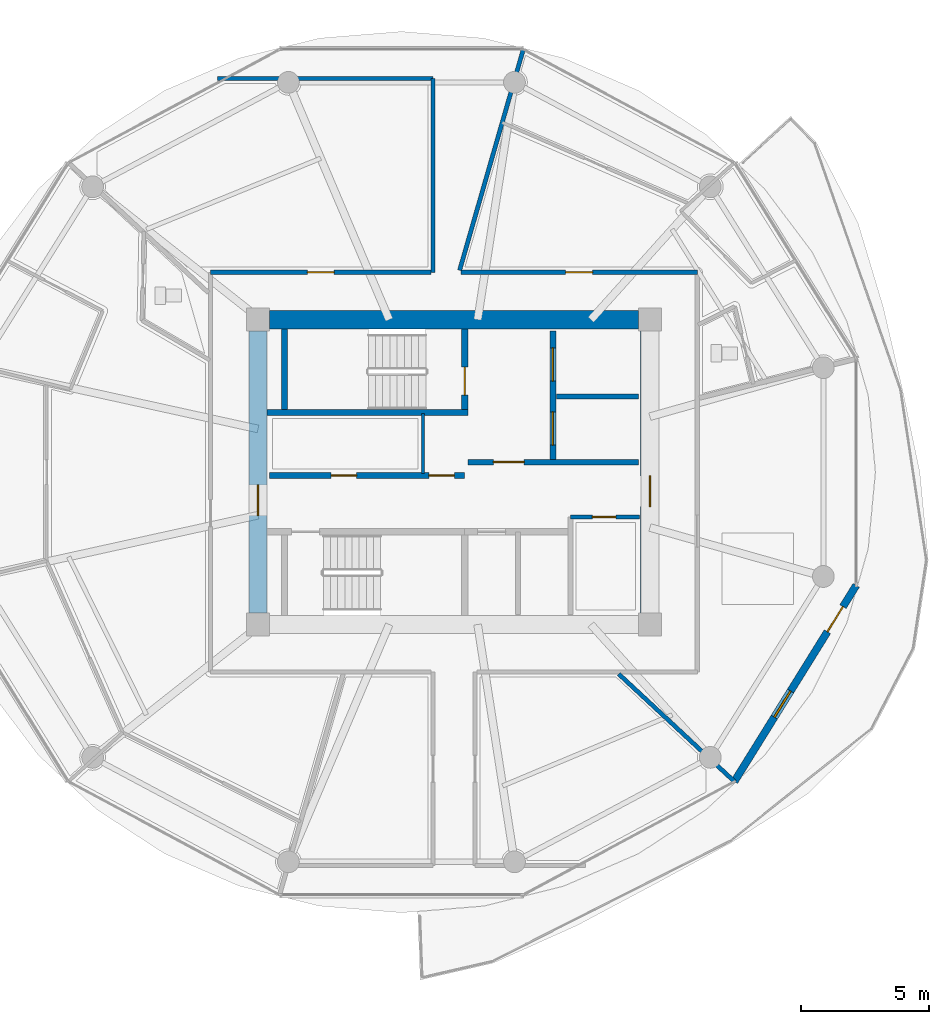
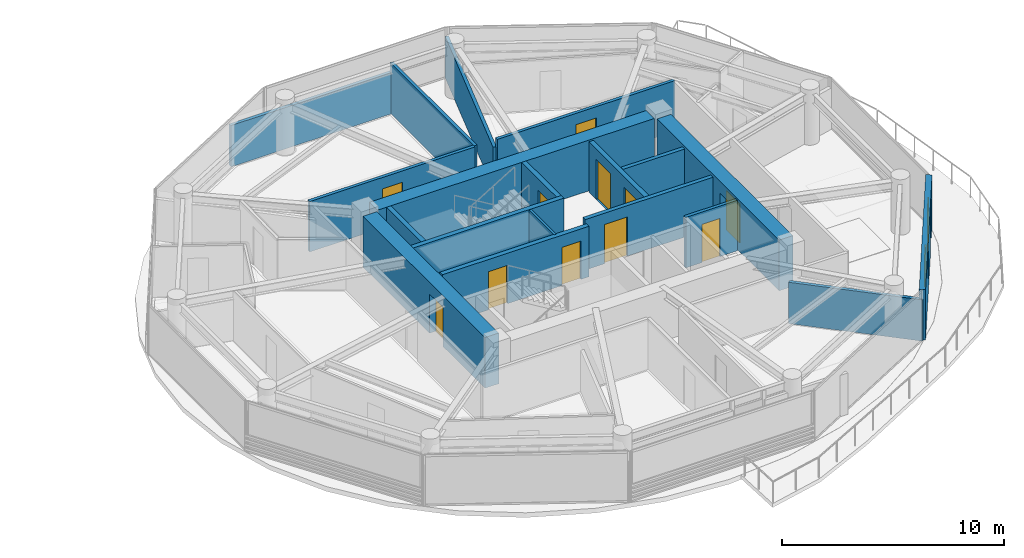
# One storey, part 16 of 25: 19 walls, 12 doors, 1 window, 13 openings.
"""IFC4 building model written with IfcOpenShell, lengths in metres."""

from ifc_helpers import new_model, si_unit, direction, frame, frame_2d, origin, place, context, subcontext, project, spatial, rectangle, extrude, source, transform, mapped, material, layer, layer_set, type_object, type_shapes, element, fill, save


model = new_model("IFC4")

# Units and contexts
model_context = context("Model", 3, precision=1e-05, world=origin(), true_north=direction((0.0, 1.0)))
body_context = subcontext(model_context, "Body", "Model", "MODEL_VIEW")
ifc_project = project(units=[si_unit("LENGTHUNIT", "METRE"), si_unit("AREAUNIT", "SQUARE_METRE"), si_unit("VOLUMEUNIT", "CUBIC_METRE"), si_unit("PLANEANGLEUNIT", "RADIAN"), si_unit("MASSUNIT", "GRAM", prefix="KILO")], contexts=[model_context])

# Site, building, storey
site_placement = place(None, origin())
site = spatial("IfcSite", under=ifc_project, at=site_placement, CompositionType="ELEMENT")
building_placement = place(site_placement, origin())
building = spatial("IfcBuilding", under=site, at=building_placement, Name="Norrkilde Senior Care Towers", CompositionType="ELEMENT")
storey_placement = place(building_placement, frame((0.0, 0.0, 99.300048828125)))
storey = spatial("IfcBuildingStorey", under=building, at=storey_placement, Name="L30", CompositionType="ELEMENT", Elevation=99.300048828125)

# Wall
ifc_material_1 = material(Name="Concrete C60/75", Category="concrete")
ifc_layer_1 = layer(ifc_material_1, 0.719970703125)
ifc_layer_set_1 = layer_set([ifc_layer_1], Name="Concrete C60/75")
wall_type_1 = type_object("IfcWallType", Name="Core Shear Wall Z2 720", PredefinedType="SHEAR", material=ifc_layer_set_1)
shared_shape_1 = source(origin(), body_context, "Body", "SweptSolid", [
    extrude(rectangle(XDim=14.39990234375, YDim=0.719970703125, at=frame_2d((7.199951171875, 0.0))), origin(), (0.0, 0.0, 1.0), 2.7900390625),
])
wall_1_placement = place(storey_placement, frame((20.800048828125, 5.949951171875, 0.0), z_axis=(0.0, 0.0, 1.0), x_axis=(1.0, 0.0, 0.0)))
element("IfcWall", 1, at=wall_1_placement, inside=storey, type_object=wall_type_1, Name="L30 Core E North Shear Wall", PredefinedType="SHEAR", context=body_context, shape_type="MappedRepresentation", body=[
    mapped(shared_shape_1, transform((0.0, 0.0, 0.0), x_axis=(1.0, 0.0, 0.0), y_axis=(0.0, 1.0, 0.0), z_axis=(0.0, 0.0, 1.0), scale=1.0)),
])

# Wall, opening, door
shared_shape_2 = source(origin(), body_context, "Body", "SweptSolid", [
    extrude(rectangle(XDim=11.0, YDim=0.719970703125, at=frame_2d((5.5, 0.0))), origin(), (0.0, 0.0, 1.0), 2.7900390625),
])
type_shapes(wall_type_1, [shared_shape_1, shared_shape_2])
wall_2_placement = place(storey_placement, frame((20.35009765625, -5.5, 0.0), z_axis=(0.0, 0.0, 1.0), x_axis=(0.0, 1.0, 0.0)))
wall_2 = element("IfcWall", 2, at=wall_2_placement, inside=storey, type_object=wall_type_1, Name="L30 Core E West Shear Wall", PredefinedType="SHEAR", context=body_context, shape_type="MappedRepresentation", body=[
    mapped(shared_shape_2, transform((0.0, 0.0, 0.0), x_axis=(1.0, 0.0, 0.0), y_axis=(0.0, 1.0, 0.0), z_axis=(0.0, 0.0, 1.0), scale=1.0)),
])
opening_1_placement = place(wall_2_placement, frame((3.800048828125, 0.0, 0.0)))
opening_1 = element("IfcOpeningElement", 3, at=opening_1_placement, cuts=wall_2, Name="Opening D-04", PredefinedType="OPENING", context=body_context, shape_type="SweptSolid", body=[
    extrude(rectangle(XDim=1.199951171875, YDim=2.14990234375, at=frame_2d((0.60009765625, 1.074951171875))), frame((0.0, 0.369873046875, 0.0), z_axis=(0.0, -1.0, 0.0), x_axis=(1.0, 0.0, 0.0)), (0.0, 0.0, 1.0), 0.739990234375),
])
ifc_material_2 = material(Name="Galvanised Painted Steel", Category="steel")
door_type_1 = type_object("IfcDoorType", Name="Firefighting Lobby Fire Door 1200x2150", OperationType="NOTDEFINED", PredefinedType="DOOR", material=ifc_material_2)
shared_shape_3 = source(origin(), body_context, "Body", "SweptSolid", [
    extrude(rectangle(XDim=1.199951171875, YDim=2.14990234375, at=frame_2d((0.60009765625, 1.074951171875))), frame((0.0, 0.02490234375, 0.0), z_axis=(0.0, -1.0, 0.0), x_axis=(1.0, 0.0, 0.0)), (0.0, 0.0, 1.0), 0.050048828125),
])
type_shapes(door_type_1, [shared_shape_3])
door_1_placement = place(opening_1_placement, frame((1.199951171875, 0.0, 0.0), z_axis=(0.0, 0.0, 1.0), x_axis=(-1.0, 0.0, 0.0)))
door_1 = element("IfcDoor", 4, at=door_1_placement, inside=storey, type_object=door_type_1, Name="L30 Core E West Portal Door", OperationType="SINGLE_SWING_LEFT", OverallHeight=2.14990234375, OverallWidth=1.199951171875, PredefinedType="DOOR", context=body_context, shape_type="MappedRepresentation", body=[
    mapped(shared_shape_3, transform((0.0, 0.0, 0.0), x_axis=(1.0, 0.0, 0.0), y_axis=(0.0, 1.0, 0.0), z_axis=(0.0, 0.0, 1.0), scale=1.0)),
])
fill(opening_1, door_1)

wall_3_placement = place(storey_placement, frame((35.64990234375, 5.5, 0.0), z_axis=(0.0, 0.0, 1.0), x_axis=(0.0, -1.0, 0.0)))
wall_3 = element("IfcWall", 5, at=wall_3_placement, inside=storey, type_object=wall_type_1, Name="L30 Core E East Shear Wall", PredefinedType="SHEAR", context=body_context, shape_type="MappedRepresentation", body=[
    mapped(shared_shape_2, transform((0.0, 0.0, 0.0), x_axis=(1.0, 0.0, 0.0), y_axis=(0.0, 1.0, 0.0), z_axis=(0.0, 0.0, 1.0), scale=1.0)),
])
opening_2_placement = place(wall_3_placement, frame((5.64990234375, 0.0, 0.0)))
opening_2 = element("IfcOpeningElement", 6, at=opening_2_placement, cuts=wall_3, Name="Opening D-04", PredefinedType="OPENING", context=body_context, shape_type="SweptSolid", body=[
    extrude(rectangle(XDim=1.199951171875, YDim=2.14990234375, at=frame_2d((0.60009765625, 1.074951171875))), frame((0.0, 0.369873046875, 0.0), z_axis=(0.0, -1.0, 0.0), x_axis=(1.0, 0.0, 0.0)), (0.0, 0.0, 1.0), 0.739990234375),
])
door_2_placement = place(opening_2_placement, frame((1.199951171875, 0.0, 0.0), z_axis=(0.0, 0.0, 1.0), x_axis=(-1.0, 0.0, 0.0)))
door_2 = element("IfcDoor", 7, at=door_2_placement, inside=storey, type_object=door_type_1, Name="L30 Core E East Portal Door", OperationType="SINGLE_SWING_RIGHT", OverallHeight=2.14990234375, OverallWidth=1.199951171875, PredefinedType="DOOR", context=body_context, shape_type="MappedRepresentation", body=[
    mapped(shared_shape_3, transform((0.0, 0.0, 0.0), x_axis=(1.0, 0.0, 0.0), y_axis=(0.0, 1.0, 0.0), z_axis=(0.0, 0.0, 1.0), scale=1.0)),
])
fill(opening_2, door_2)

# Wall, openings, door, window
ifc_material_3 = material(Name="Precast concrete C45/55", Category="concrete")
ifc_layer_2 = layer(ifc_material_3, 0.2900390625)
ifc_layer_set_2 = layer_set([ifc_layer_2], Name="Precast concrete C45/55")
wall_type_2 = type_object("IfcWallType", Name="Winter Garden Facade Wall 290", PredefinedType="SOLIDWALL", material=ifc_layer_set_2)
shared_shape_4 = source(origin(), body_context, "Body", "SweptSolid", [
    extrude(rectangle(XDim=9.01416015625, YDim=0.2900390625, at=frame_2d((4.507080078125, 0.0))), origin(), (0.0, 0.0, 1.0), 2.7900390625),
])
type_shapes(wall_type_2, [shared_shape_4])
wall_4_placement = place(storey_placement, frame((43.70361328125, -4.420654296875, 0.0), z_axis=(0.0, 0.0, 1.0), x_axis=(-0.527732945084, -0.849410347637, 0.0)))
wall_4 = element("IfcWall", 8, at=wall_4_placement, inside=storey, type_object=wall_type_2, Name="L30 Drum E Balcony Access Wall 10", PredefinedType="SOLIDWALL", context=body_context, shape_type="MappedRepresentation", body=[
    mapped(shared_shape_4, transform((0.0, 0.0, 0.0), x_axis=(1.0, 0.0, 0.0), y_axis=(0.0, 1.0, 0.0), z_axis=(0.0, 0.0, 1.0), scale=1.0)),
])
opening_3_placement = place(wall_4_placement, frame((0.97998046875, 0.0, 0.0)))
opening_3 = element("IfcOpeningElement", 9, at=opening_3_placement, cuts=wall_4, Name="Opening D-09", PredefinedType="OPENING", context=body_context, shape_type="SweptSolid", body=[
    extrude(rectangle(XDim=1.14990234375, YDim=2.25, at=frame_2d((0.574951171875, 1.125))), frame((0.0, 0.155029296875, 0.0), z_axis=(0.0, -1.0, 0.0), x_axis=(1.0, 0.0, 0.0)), (0.0, 0.0, 1.0), 0.31005859375),
])
opening_4_placement = place(wall_4_placement, frame((4.857177734375, 0.0, 0.85009765625)))
opening_4 = element("IfcOpeningElement", 10, at=opening_4_placement, cuts=wall_4, Name="Opening WN-07", PredefinedType="OPENING", context=body_context, shape_type="SweptSolid", body=[
    extrude(rectangle(XDim=1.199951171875, YDim=1.5, at=frame_2d((0.60009765625, 0.75))), frame((0.0, 0.155029296875, 0.0), z_axis=(0.0, -1.0, 0.0), x_axis=(1.0, 0.0, 0.0)), (0.0, 0.0, 1.0), 0.31005859375),
])
ifc_material_4 = material(Name="Anodised Aluminium", Category="aluminium")
door_type_2 = type_object("IfcDoorType", Name="Terrace and Balcony Glazed Door 1150x2250", OperationType="NOTDEFINED", PredefinedType="DOOR", material=ifc_material_4)
shared_shape_5 = source(origin(), body_context, "Body", "SweptSolid", [
    extrude(rectangle(XDim=1.14990234375, YDim=2.25, at=frame_2d((0.574951171875, 1.125))), frame((0.0, 0.02490234375, 0.0), z_axis=(0.0, -1.0, 0.0), x_axis=(1.0, 0.0, 0.0)), (0.0, 0.0, 1.0), 0.050048828125),
])
type_shapes(door_type_2, [shared_shape_5])
door_3_placement = place(opening_3_placement, origin())
door_3 = element("IfcDoor", 11, at=door_3_placement, inside=storey, type_object=door_type_2, Name="L30 Drum E Outdoor Terrace Door 10", OperationType="SINGLE_SWING_LEFT", OverallHeight=2.25, OverallWidth=1.14990234375, PredefinedType="DOOR", context=body_context, shape_type="MappedRepresentation", body=[
    mapped(shared_shape_5, transform((0.0, 0.0, 0.0), x_axis=(1.0, 0.0, 0.0), y_axis=(0.0, 1.0, 0.0), z_axis=(0.0, 0.0, 1.0), scale=1.0)),
])
fill(opening_3, door_3)
ifc_material_5 = material(Name="Triple Low-E Insulated Glazing", Category="glass")
window_type = type_object("IfcWindowType", Name="Stairwell Smoke Vent Window 1200x1500", PartitioningType="SINGLE_PANEL", PredefinedType="WINDOW", material=ifc_material_5)
shared_shape_6 = source(origin(), body_context, "Body", "SweptSolid", [
    extrude(rectangle(XDim=1.199951171875, YDim=1.5, at=frame_2d((0.60009765625, 0.75))), frame((0.0, 0.030029296875, 0.0), z_axis=(0.0, -1.0, 0.0), x_axis=(1.0, 0.0, 0.0)), (0.0, 0.0, 1.0), 0.06005859375),
])
type_shapes(window_type, [shared_shape_6])
window_placement = place(opening_4_placement, origin())
window = element("IfcWindow", 12, at=window_placement, inside=storey, type_object=window_type, Name="L30 Drum E Winter Garden Window 10", OverallHeight=1.5, OverallWidth=1.199951171875, PartitioningType="SINGLE_PANEL", PredefinedType="WINDOW", context=body_context, shape_type="MappedRepresentation", body=[
    mapped(shared_shape_6, transform((0.0, 0.0, 0.0), x_axis=(1.0, 0.0, 0.0), y_axis=(0.0, 1.0, 0.0), z_axis=(0.0, 0.0, 1.0), scale=1.0)),
])
fill(opening_4, window)

# Wall, openings, doors
ifc_material_6 = material(Name="Concrete C45/55", Category="concrete")
ifc_layer_3 = layer(ifc_material_6, 0.239990234375)
ifc_layer_set_3 = layer_set([ifc_layer_3], Name="Concrete C45/55")
wall_type_3 = type_object("IfcWallType", Name="Lift and Plant Rated Enclosure Partition 240", PredefinedType="PARTITIONING", material=ifc_layer_set_3)
shared_shape_7 = source(origin(), body_context, "Body", "SweptSolid", [
    extrude(rectangle(XDim=5.0, YDim=0.239990234375, at=frame_2d((2.5, 0.0))), origin(), (0.0, 0.0, 1.0), 2.77490234375),
])
wall_5_placement = place(storey_placement, frame((31.860107421875, 0.5, 0.0), z_axis=(0.0, 0.0, 1.0), x_axis=(0.0, 1.0, 0.0)))
wall_5 = element("IfcWall", 13, at=wall_5_placement, inside=storey, type_object=wall_type_3, Name="WL-INT-L30-E-FFLE", PredefinedType="PARTITIONING", context=body_context, shape_type="MappedRepresentation", body=[
    mapped(shared_shape_7, transform((0.0, 0.0, 0.0), x_axis=(1.0, 0.0, 0.0), y_axis=(0.0, 1.0, 0.0), z_axis=(0.0, 0.0, 1.0), scale=1.0)),
])
opening_5_placement = place(wall_5_placement, frame((3.050048828125, 0.0, 0.0)))
opening_5 = element("IfcOpeningElement", 14, at=opening_5_placement, cuts=wall_5, Name="Opening LD-02", PredefinedType="OPENING", context=body_context, shape_type="SweptSolid", body=[
    extrude(rectangle(XDim=1.300048828125, YDim=2.199951171875, at=frame_2d((0.64990234375, 1.10009765625))), frame((0.0, 0.1298828125, 0.0), z_axis=(0.0, -1.0, 0.0), x_axis=(1.0, 0.0, 0.0)), (0.0, 0.0, 1.0), 0.260009765625),
])
opening_6_placement = place(wall_5_placement, frame((0.550048828125, 0.0, 0.0)))
opening_6 = element("IfcOpeningElement", 15, at=opening_6_placement, cuts=wall_5, Name="Opening LD-02", PredefinedType="OPENING", context=body_context, shape_type="SweptSolid", body=[
    extrude(rectangle(XDim=1.300048828125, YDim=2.199951171875, at=frame_2d((0.64990234375, 1.10009765625))), frame((0.0, 0.1298828125, 0.0), z_axis=(0.0, -1.0, 0.0), x_axis=(1.0, 0.0, 0.0)), (0.0, 0.0, 1.0), 0.260009765625),
])
ifc_material_7 = material(Name="Stainless Steel", Category="steel")
door_type_3 = type_object("IfcDoorType", Name="Stretcher and FFL Landing Sliding Door 1300x2200", OperationType="NOTDEFINED", PredefinedType="DOOR", material=ifc_material_7)
shared_shape_8 = source(origin(), body_context, "Body", "SweptSolid", [
    extrude(rectangle(XDim=1.300048828125, YDim=2.199951171875, at=frame_2d((0.64990234375, 1.10009765625))), frame((0.0, 0.02490234375, 0.0), z_axis=(0.0, -1.0, 0.0), x_axis=(1.0, 0.0, 0.0)), (0.0, 0.0, 1.0), 0.050048828125),
])
type_shapes(door_type_3, [shared_shape_8])
door_4_placement = place(opening_5_placement, origin())
door_4 = element("IfcDoor", 16, at=door_4_placement, inside=storey, type_object=door_type_3, Name="L30 Firefighting Lift E1 Landing Door", OperationType="SLIDING_TO_LEFT", OverallHeight=2.199951171875, OverallWidth=1.300048828125, PredefinedType="DOOR", context=body_context, shape_type="MappedRepresentation", body=[
    mapped(shared_shape_8, transform((0.0, 0.0, 0.0), x_axis=(1.0, 0.0, 0.0), y_axis=(0.0, 1.0, 0.0), z_axis=(0.0, 0.0, 1.0), scale=1.0)),
])
fill(opening_5, door_4)
door_5_placement = place(opening_6_placement, origin())
door_5 = element("IfcDoor", 17, at=door_5_placement, inside=storey, type_object=door_type_3, Name="L30 Stretcher Lift E1 Landing Door", OperationType="SLIDING_TO_RIGHT", OverallHeight=2.199951171875, OverallWidth=1.300048828125, PredefinedType="DOOR", context=body_context, shape_type="MappedRepresentation", body=[
    mapped(shared_shape_8, transform((0.0, 0.0, 0.0), x_axis=(1.0, 0.0, 0.0), y_axis=(0.0, 1.0, 0.0), z_axis=(0.0, 0.0, 1.0), scale=1.0)),
])
fill(opening_6, door_5)

# Wall
ifc_layer_4 = layer(ifc_material_6, 0.199951171875)
ifc_layer_set_4 = layer_set([ifc_layer_4], Name="Concrete C45/55")
wall_type_4 = type_object("IfcWallType", Name="Shaft Division and Plant Partition 200", PredefinedType="PARTITIONING", material=ifc_layer_set_4)
shared_shape_9 = source(origin(), body_context, "Body", "SweptSolid", [
    extrude(rectangle(XDim=3.199951171875, YDim=0.199951171875, at=frame_2d((1.60009765625, 0.0))), origin(), (0.0, 0.0, 1.0), 2.77490234375),
])
type_shapes(wall_type_4, [shared_shape_9])
wall_6_placement = place(storey_placement, frame((32.0, 2.949951171875, 0.0), z_axis=(0.0, 0.0, 1.0), x_axis=(1.0, 0.0, 0.0)))
element("IfcWall", 18, at=wall_6_placement, inside=storey, type_object=wall_type_4, Name="WL-INT-L30-E-FFLDIV", PredefinedType="PARTITIONING", context=body_context, shape_type="MappedRepresentation", body=[
    mapped(shared_shape_9, transform((0.0, 0.0, 0.0), x_axis=(1.0, 0.0, 0.0), y_axis=(0.0, 1.0, 0.0), z_axis=(0.0, 0.0, 1.0), scale=1.0)),
])

# Wall, opening, door
ifc_layer_5 = layer(ifc_material_6, 0.2099609375)
ifc_layer_set_5 = layer_set([ifc_layer_5], Name="Concrete C45/55")
wall_type_5 = type_object("IfcWallType", Name="Firefighting Lobby Wall 210", PredefinedType="PARTITIONING", material=ifc_layer_set_5)
shared_shape_10 = source(origin(), body_context, "Body", "SweptSolid", [
    extrude(rectangle(XDim=6.659912109375, YDim=0.2099609375, at=frame_2d((3.330078125, 0.0))), origin(), (0.0, 0.0, 1.0), 2.77490234375),
])
type_shapes(wall_type_5, [shared_shape_10])
wall_7_placement = place(storey_placement, frame((28.5400390625, 0.389892578125, 0.0), z_axis=(0.0, 0.0, 1.0), x_axis=(1.0, 0.0, 0.0)))
wall_7 = element("IfcWall", 19, at=wall_7_placement, inside=storey, type_object=wall_type_5, Name="WL-INT-L30-E-FFLS", PredefinedType="PARTITIONING", context=body_context, shape_type="MappedRepresentation", body=[
    mapped(shared_shape_10, transform((0.0, 0.0, 0.0), x_axis=(1.0, 0.0, 0.0), y_axis=(0.0, 1.0, 0.0), z_axis=(0.0, 0.0, 1.0), scale=1.0)),
])
opening_7_placement = place(wall_7_placement, frame((1.0, 0.0, 0.0)))
opening_7 = element("IfcOpeningElement", 20, at=opening_7_placement, cuts=wall_7, Name="Opening D-04", PredefinedType="OPENING", context=body_context, shape_type="SweptSolid", body=[
    extrude(rectangle(XDim=1.199951171875, YDim=2.14990234375, at=frame_2d((0.60009765625, 1.074951171875))), frame((0.0, 0.114990234375, 0.0), z_axis=(0.0, -1.0, 0.0), x_axis=(1.0, 0.0, 0.0)), (0.0, 0.0, 1.0), 0.22998046875),
])
door_6_placement = place(opening_7_placement, frame((1.199951171875, 0.0, 0.0), z_axis=(0.0, 0.0, 1.0), x_axis=(-1.0, 0.0, 0.0)))
door_6 = element("IfcDoor", 21, at=door_6_placement, inside=storey, type_object=door_type_1, Name="L30 Firefighting Lobby E Door", OperationType="SINGLE_SWING_LEFT", OverallHeight=2.14990234375, OverallWidth=1.199951171875, PredefinedType="DOOR", context=body_context, shape_type="MappedRepresentation", body=[
    mapped(shared_shape_3, transform((0.0, 0.0, 0.0), x_axis=(1.0, 0.0, 0.0), y_axis=(0.0, 1.0, 0.0), z_axis=(0.0, 0.0, 1.0), scale=1.0)),
])
fill(opening_7, door_6)

# Wall, openings, doors
shared_shape_11 = source(origin(), body_context, "Body", "SweptSolid", [
    extrude(rectangle(XDim=7.619873046875, YDim=0.239990234375, at=frame_2d((3.81005859375, 0.0))), origin(), (0.0, 0.0, 1.0), 2.77490234375),
])
type_shapes(wall_type_3, [shared_shape_7, shared_shape_11])
wall_8_placement = place(storey_placement, frame((20.800048828125, -0.1298828125, 0.0), z_axis=(0.0, 0.0, 1.0), x_axis=(1.0, 0.0, 0.0)))
wall_8 = element("IfcWall", 22, at=wall_8_placement, inside=storey, type_object=wall_type_3, Name="WL-INT-L30-E-PKAS", PredefinedType="PARTITIONING", context=body_context, shape_type="MappedRepresentation", body=[
    mapped(shared_shape_11, transform((0.0, 0.0, 0.0), x_axis=(1.0, 0.0, 0.0), y_axis=(0.0, 1.0, 0.0), z_axis=(0.0, 0.0, 1.0), scale=1.0)),
])
opening_8_placement = place(wall_8_placement, frame((6.219970703125, 0.0, 0.0)))
opening_8 = element("IfcOpeningElement", 23, at=opening_8_placement, cuts=wall_8, Name="Opening D-10", PredefinedType="OPENING", context=body_context, shape_type="SweptSolid", body=[
    extrude(rectangle(XDim=1.0, YDim=2.10009765625, at=frame_2d((0.5, 1.050048828125))), frame((0.0, 0.1298828125, 0.0), z_axis=(0.0, -1.0, 0.0), x_axis=(1.0, 0.0, 0.0)), (0.0, 0.0, 1.0), 0.260009765625),
])
opening_9_placement = place(wall_8_placement, frame((2.39990234375, 0.0, 0.0)))
opening_9 = element("IfcOpeningElement", 24, at=opening_9_placement, cuts=wall_8, Name="Opening D-10", PredefinedType="OPENING", context=body_context, shape_type="SweptSolid", body=[
    extrude(rectangle(XDim=1.0, YDim=2.10009765625, at=frame_2d((0.5, 1.050048828125))), frame((0.0, 0.1298828125, 0.0), z_axis=(0.0, -1.0, 0.0), x_axis=(1.0, 0.0, 0.0)), (0.0, 0.0, 1.0), 0.260009765625),
])
door_type_4 = type_object("IfcDoorType", Name="Plant and Riser Rated Door 1000x2100", OperationType="NOTDEFINED", PredefinedType="DOOR", material=ifc_material_2)
shared_shape_12 = source(origin(), body_context, "Body", "SweptSolid", [
    extrude(rectangle(XDim=1.0, YDim=2.10009765625, at=frame_2d((0.5, 1.050048828125))), frame((0.0, 0.02490234375, 0.0), z_axis=(0.0, -1.0, 0.0), x_axis=(1.0, 0.0, 0.0)), (0.0, 0.0, 1.0), 0.050048828125),
])
type_shapes(door_type_4, [shared_shape_12])
door_7_placement = place(opening_8_placement, frame((1.0, 0.0, 0.0), z_axis=(0.0, 0.0, 1.0), x_axis=(-1.0, 0.0, 0.0)))
door_7 = element("IfcDoor", 25, at=door_7_placement, inside=storey, type_object=door_type_4, Name="L30 Electrical Riser E Door", OperationType="SINGLE_SWING_LEFT", OverallHeight=2.10009765625, OverallWidth=1.0, PredefinedType="DOOR", context=body_context, shape_type="MappedRepresentation", body=[
    mapped(shared_shape_12, transform((0.0, 0.0, 0.0), x_axis=(1.0, 0.0, 0.0), y_axis=(0.0, 1.0, 0.0), z_axis=(0.0, 0.0, 1.0), scale=1.0)),
])
fill(opening_8, door_7)
door_8_placement = place(opening_9_placement, frame((1.0, 0.0, 0.0), z_axis=(0.0, 0.0, 1.0), x_axis=(-1.0, 0.0, 0.0)))
door_8 = element("IfcDoor", 26, at=door_8_placement, inside=storey, type_object=door_type_4, Name="L30 Clean Supply Store E Door", OperationType="SINGLE_SWING_LEFT", OverallHeight=2.10009765625, OverallWidth=1.0, PredefinedType="DOOR", context=body_context, shape_type="MappedRepresentation", body=[
    mapped(shared_shape_12, transform((0.0, 0.0, 0.0), x_axis=(1.0, 0.0, 0.0), y_axis=(0.0, 1.0, 0.0), z_axis=(0.0, 0.0, 1.0), scale=1.0)),
])
fill(opening_9, door_8)

# Wall
ifc_material_8 = material(Name="Gypsum Acoustic Board")
ifc_layer_6 = layer(ifc_material_8, 0.114990234375)
ifc_layer_set_6 = layer_set([ifc_layer_6], Name="Gypsum Acoustic Board")
wall_type_6 = type_object("IfcWallType", Name="Internal Room Partition 115", PredefinedType="PARTITIONING", material=ifc_layer_set_6)
shared_shape_13 = source(origin(), body_context, "Body", "SweptSolid", [
    extrude(rectangle(XDim=2.330078125, YDim=0.114990234375, at=frame_2d((1.1650390625, 0.0))), origin(), (0.0, 0.0, 1.0), 2.77490234375),
])
type_shapes(wall_type_6, [shared_shape_13])
wall_9_placement = place(storey_placement, frame((26.7900390625, -0.050048828125, 0.0), z_axis=(0.0, 0.0, 1.0), x_axis=(0.0, 1.0, 0.0)))
element("IfcWall", 27, at=wall_9_placement, inside=storey, type_object=wall_type_6, Name="WL-INT-L30-E-RISW", PredefinedType="PARTITIONING", context=body_context, shape_type="MappedRepresentation", body=[
    mapped(shared_shape_13, transform((0.0, 0.0, 0.0), x_axis=(1.0, 0.0, 0.0), y_axis=(0.0, 1.0, 0.0), z_axis=(0.0, 0.0, 1.0), scale=1.0)),
])

# Wall, opening, door
ifc_layer_7 = layer(ifc_material_8, 0.1650390625)
ifc_layer_set_7 = layer_set([ifc_layer_7], Name="Gypsum Acoustic Board")
wall_type_7 = type_object("IfcWallType", Name="Corridor Rated Partition 165", PredefinedType="PARTITIONING", material=ifc_layer_set_7)
shared_shape_14 = source(origin(), body_context, "Body", "SweptSolid", [
    extrude(rectangle(XDim=2.699951171875, YDim=0.1650390625, at=frame_2d((1.35009765625, 0.0))), origin(), (0.0, 0.0, 1.0), 2.77490234375),
])
wall_10_placement = place(storey_placement, frame((32.550048828125, -1.75, 0.0), z_axis=(0.0, 0.0, 1.0), x_axis=(1.0, 0.0, 0.0)))
wall_10 = element("IfcWall", 28, at=wall_10_placement, inside=storey, type_object=wall_type_7, Name="WL-INT-L30-E-CSN", PredefinedType="PARTITIONING", context=body_context, shape_type="MappedRepresentation", body=[
    mapped(shared_shape_14, transform((0.0, 0.0, 0.0), x_axis=(1.0, 0.0, 0.0), y_axis=(0.0, 1.0, 0.0), z_axis=(0.0, 0.0, 1.0), scale=1.0)),
])
opening_10_placement = place(wall_10_placement, frame((0.85009765625, 0.0, 0.0)))
opening_10 = element("IfcOpeningElement", 29, at=opening_10_placement, cuts=wall_10, Name="Opening D-12", PredefinedType="OPENING", context=body_context, shape_type="SweptSolid", body=[
    extrude(rectangle(XDim=0.925048828125, YDim=2.10009765625, at=frame_2d((0.46240234375, 1.050048828125))), frame((0.0, 0.092529296875, 0.0), z_axis=(0.0, -1.0, 0.0), x_axis=(1.0, 0.0, 0.0)), (0.0, 0.0, 1.0), 0.18505859375),
])
door_type_5 = type_object("IfcDoorType", Name="Core Wet Room Rated Door 925x2100", OperationType="NOTDEFINED", PredefinedType="DOOR", material=ifc_material_2)
shared_shape_15 = source(origin(), body_context, "Body", "SweptSolid", [
    extrude(rectangle(XDim=0.925048828125, YDim=2.10009765625, at=frame_2d((0.46240234375, 1.050048828125))), frame((0.0, 0.02490234375, 0.0), z_axis=(0.0, -1.0, 0.0), x_axis=(1.0, 0.0, 0.0)), (0.0, 0.0, 1.0), 0.050048828125),
])
type_shapes(door_type_5, [shared_shape_15])
door_9_placement = place(opening_10_placement, origin())
door_9 = element("IfcDoor", 30, at=door_9_placement, inside=storey, type_object=door_type_5, Name="L30 Core Utility E Door", OperationType="SINGLE_SWING_LEFT", OverallHeight=2.10009765625, OverallWidth=0.925048828125, PredefinedType="DOOR", context=body_context, shape_type="MappedRepresentation", body=[
    mapped(shared_shape_15, transform((0.0, 0.0, 0.0), x_axis=(1.0, 0.0, 0.0), y_axis=(0.0, 1.0, 0.0), z_axis=(0.0, 0.0, 1.0), scale=1.0)),
])
fill(opening_10, door_9)

# Walls
ifc_layer_8 = layer(ifc_material_6, 0.239990234375)
ifc_layer_set_8 = layer_set([ifc_layer_8], Name="Concrete C45/55")
wall_type_8 = type_object("IfcWallType", Name="Shaft and Stair Enclosure Wall 240", PredefinedType="PARTITIONING", material=ifc_layer_set_8)
shared_shape_16 = source(origin(), body_context, "Body", "SweptSolid", [
    extrude(rectangle(XDim=7.830078125, YDim=0.239990234375, at=frame_2d((3.9150390625, 0.0))), origin(), (0.0, 0.0, 1.0), 2.7900390625),
])
wall_11_placement = place(storey_placement, frame((20.7099609375, 2.330078125, 0.0), z_axis=(0.0, 0.0, 1.0), x_axis=(1.0, 0.0, 0.0)))
element("IfcWall", 31, at=wall_11_placement, inside=storey, type_object=wall_type_8, Name="WL-INT-L30-E-ST1S", PredefinedType="PARTITIONING", context=body_context, shape_type="MappedRepresentation", body=[
    mapped(shared_shape_16, transform((0.0, 0.0, 0.0), x_axis=(1.0, 0.0, 0.0), y_axis=(0.0, 1.0, 0.0), z_axis=(0.0, 0.0, 1.0), scale=1.0)),
])
shared_shape_17 = source(origin(), body_context, "Body", "SweptSolid", [
    extrude(rectangle(XDim=3.14013671875, YDim=0.239990234375, at=frame_2d((1.570068359375, 0.0))), origin(), (0.0, 0.0, 1.0), 2.7900390625),
])
type_shapes(wall_type_8, [shared_shape_16, shared_shape_17])
wall_12_placement = place(storey_placement, frame((21.3798828125, 2.449951171875, 0.0), z_axis=(0.0, 0.0, 1.0), x_axis=(0.0, 1.0, 0.0)))
element("IfcWall", 32, at=wall_12_placement, inside=storey, type_object=wall_type_8, Name="WL-INT-L30-E-ST1W", PredefinedType="PARTITIONING", context=body_context, shape_type="MappedRepresentation", body=[
    mapped(shared_shape_17, transform((0.0, 0.0, 0.0), x_axis=(1.0, 0.0, 0.0), y_axis=(0.0, 1.0, 0.0), z_axis=(0.0, 0.0, 1.0), scale=1.0)),
])

# Wall, opening, door
wall_13_placement = place(storey_placement, frame((28.419921875, 2.449951171875, 0.0), z_axis=(0.0, 0.0, 1.0), x_axis=(0.0, 1.0, 0.0)))
wall_13 = element("IfcWall", 33, at=wall_13_placement, inside=storey, type_object=wall_type_8, Name="WL-INT-L30-E-ST1E", PredefinedType="PARTITIONING", context=body_context, shape_type="MappedRepresentation", body=[
    mapped(shared_shape_17, transform((0.0, 0.0, 0.0), x_axis=(1.0, 0.0, 0.0), y_axis=(0.0, 1.0, 0.0), z_axis=(0.0, 0.0, 1.0), scale=1.0)),
])
opening_11_placement = place(wall_13_placement, frame((0.550048828125, 0.0, 0.0)))
opening_11 = element("IfcOpeningElement", 34, at=opening_11_placement, cuts=wall_13, Name="Opening D-03", PredefinedType="OPENING", context=body_context, shape_type="SweptSolid", body=[
    extrude(rectangle(XDim=1.10009765625, YDim=2.14990234375, at=frame_2d((0.550048828125, 1.074951171875))), frame((0.0, 0.1298828125, 0.0), z_axis=(0.0, -1.0, 0.0), x_axis=(1.0, 0.0, 0.0)), (0.0, 0.0, 1.0), 0.260009765625),
])
door_type_6 = type_object("IfcDoorType", Name="Stairwell Protected Fire Door 1100x2150", OperationType="NOTDEFINED", PredefinedType="DOOR", material=ifc_material_2)
shared_shape_18 = source(origin(), body_context, "Body", "SweptSolid", [
    extrude(rectangle(XDim=1.10009765625, YDim=2.14990234375, at=frame_2d((0.550048828125, 1.074951171875))), frame((0.0, 0.02490234375, 0.0), z_axis=(0.0, -1.0, 0.0), x_axis=(1.0, 0.0, 0.0)), (0.0, 0.0, 1.0), 0.050048828125),
])
type_shapes(door_type_6, [shared_shape_18])
door_10_placement = place(opening_11_placement, origin())
door_10 = element("IfcDoor", 35, at=door_10_placement, inside=storey, type_object=door_type_6, Name="L30 Stair E1 Fire Door", OperationType="SINGLE_SWING_LEFT", OverallHeight=2.14990234375, OverallWidth=1.10009765625, PredefinedType="DOOR", context=body_context, shape_type="MappedRepresentation", body=[
    mapped(shared_shape_18, transform((0.0, 0.0, 0.0), x_axis=(1.0, 0.0, 0.0), y_axis=(0.0, 1.0, 0.0), z_axis=(0.0, 0.0, 1.0), scale=1.0)),
])
fill(opening_11, door_10)

shared_shape_19 = source(origin(), body_context, "Body", "SweptSolid", [
    extrude(rectangle(XDim=8.60009765625, YDim=0.1650390625, at=frame_2d((4.300048828125, 0.0))), origin(), (0.0, 0.0, 1.0), 2.77490234375),
])
wall_14_placement = place(storey_placement, frame((18.5, 7.800048828125, 0.0), z_axis=(0.0, 0.0, 1.0), x_axis=(1.0, 0.0, 0.0)))
wall_14 = element("IfcWall", 36, at=wall_14_placement, inside=storey, type_object=wall_type_7, Name="WL-INT-L30-E-CRW-N-0", PredefinedType="PARTITIONING", context=body_context, shape_type="MappedRepresentation", body=[
    mapped(shared_shape_19, transform((0.0, 0.0, 0.0), x_axis=(1.0, 0.0, 0.0), y_axis=(0.0, 1.0, 0.0), z_axis=(0.0, 0.0, 1.0), scale=1.0)),
])
opening_12_placement = place(wall_14_placement, frame((3.77490234375, 0.0, 0.0)))
opening_12 = element("IfcOpeningElement", 37, at=opening_12_placement, cuts=wall_14, Name="Opening D-06", PredefinedType="OPENING", context=body_context, shape_type="SweptSolid", body=[
    extrude(rectangle(XDim=1.050048828125, YDim=2.14990234375, at=frame_2d((0.52490234375, 1.074951171875))), frame((0.0, 0.092529296875, 0.0), z_axis=(0.0, -1.0, 0.0), x_axis=(1.0, 0.0, 0.0)), (0.0, 0.0, 1.0), 0.18505859375),
])
ifc_material_9 = material(Name="Nordic Ash Timber", Category="wood")
door_type_7 = type_object("IfcDoorType", Name="Apartment Entrance Fire Door 1050x2150", OperationType="NOTDEFINED", PredefinedType="DOOR", material=ifc_material_9)
shared_shape_20 = source(origin(), body_context, "Body", "SweptSolid", [
    extrude(rectangle(XDim=1.050048828125, YDim=2.14990234375, at=frame_2d((0.52490234375, 1.074951171875))), frame((0.0, 0.02490234375, 0.0), z_axis=(0.0, -1.0, 0.0), x_axis=(1.0, 0.0, 0.0)), (0.0, 0.0, 1.0), 0.050048828125),
])
type_shapes(door_type_7, [shared_shape_20])
door_11_placement = place(opening_12_placement, frame((1.050048828125, 0.0, 0.0), z_axis=(0.0, 0.0, 1.0), x_axis=(-1.0, 0.0, 0.0)))
door_11 = element("IfcDoor", 38, at=door_11_placement, inside=storey, type_object=door_type_7, Name="L30 Reading Lounge NWL Door", OperationType="SINGLE_SWING_RIGHT", OverallHeight=2.14990234375, OverallWidth=1.050048828125, PredefinedType="DOOR", context=body_context, shape_type="MappedRepresentation", body=[
    mapped(shared_shape_20, transform((0.0, 0.0, 0.0), x_axis=(1.0, 0.0, 0.0), y_axis=(0.0, 1.0, 0.0), z_axis=(0.0, 0.0, 1.0), scale=1.0)),
])
fill(opening_12, door_11)

shared_shape_21 = source(origin(), body_context, "Body", "SweptSolid", [
    extrude(rectangle(XDim=9.234130859375, YDim=0.1650390625, at=frame_2d((4.6171875, 0.0))), origin(), (0.0, 0.0, 1.0), 2.77490234375),
])
wall_15_placement = place(storey_placement, frame((28.265869140625, 7.800048828125, 0.0), z_axis=(0.0, 0.0, 1.0), x_axis=(1.0, 0.0, 0.0)))
wall_15 = element("IfcWall", 39, at=wall_15_placement, inside=storey, type_object=wall_type_7, Name="WL-INT-L30-E-CRW-N-1", PredefinedType="PARTITIONING", context=body_context, shape_type="MappedRepresentation", body=[
    mapped(shared_shape_21, transform((0.0, 0.0, 0.0), x_axis=(1.0, 0.0, 0.0), y_axis=(0.0, 1.0, 0.0), z_axis=(0.0, 0.0, 1.0), scale=1.0)),
])
opening_13_placement = place(wall_15_placement, frame((4.092041015625, 0.0, 0.0)))
opening_13 = element("IfcOpeningElement", 40, at=opening_13_placement, cuts=wall_15, Name="Opening D-06", PredefinedType="OPENING", context=body_context, shape_type="SweptSolid", body=[
    extrude(rectangle(XDim=1.050048828125, YDim=2.14990234375, at=frame_2d((0.52490234375, 1.074951171875))), frame((0.0, 0.092529296875, 0.0), z_axis=(0.0, -1.0, 0.0), x_axis=(1.0, 0.0, 0.0)), (0.0, 0.0, 1.0), 0.18505859375),
])
door_12_placement = place(opening_13_placement, frame((1.050048828125, 0.0, 0.0), z_axis=(0.0, 0.0, 1.0), x_axis=(-1.0, 0.0, 0.0)))
door_12 = element("IfcDoor", 41, at=door_12_placement, inside=storey, type_object=door_type_7, Name="Apartment 30C Entrance Door", OperationType="SINGLE_SWING_LEFT", OverallHeight=2.14990234375, OverallWidth=1.050048828125, PredefinedType="DOOR", context=body_context, shape_type="MappedRepresentation", body=[
    mapped(shared_shape_20, transform((0.0, 0.0, 0.0), x_axis=(1.0, 0.0, 0.0), y_axis=(0.0, 1.0, 0.0), z_axis=(0.0, 0.0, 1.0), scale=1.0)),
])
fill(opening_13, door_12)

# Walls
shared_shape_22 = source(origin(), body_context, "Body", "SweptSolid", [
    extrude(rectangle(XDim=6.186767578125, YDim=0.1650390625, at=frame_2d((3.09326171875, 0.0))), origin(), (0.0, 0.0, 1.0), 2.27490234375),
])
wall_16_placement = place(storey_placement, frame((34.428955078125, -7.8798828125, 0.0), z_axis=(0.0, 0.0, 1.0), x_axis=(0.732501077882, -0.680765870841, 0.0)))
element("IfcWall", 42, at=wall_16_placement, inside=storey, type_object=wall_type_7, Name="WL-INT-L30-E-DEM-10-0", PredefinedType="PARTITIONING", context=body_context, shape_type="MappedRepresentation", body=[
    mapped(shared_shape_22, transform((0.0, 0.0, 0.0), x_axis=(1.0, 0.0, 0.0), y_axis=(0.0, 1.0, 0.0), z_axis=(0.0, 0.0, 1.0), scale=1.0)),
])
shared_shape_23 = source(origin(), body_context, "Body", "SweptSolid", [
    extrude(rectangle(XDim=8.9892578125, YDim=0.1650390625, at=frame_2d((4.49462890625, 0.0))), origin(), (0.0, 0.0, 1.0), 2.27490234375),
])
wall_17_placement = place(storey_placement, frame((28.221923828125, 7.8798828125, 0.0), z_axis=(0.0, 0.0, 1.0), x_axis=(0.27702323008, 0.960863221274, 0.0)))
element("IfcWall", 43, at=wall_17_placement, inside=storey, type_object=wall_type_7, Name="WL-INT-L30-E-DEM-02-0", PredefinedType="PARTITIONING", context=body_context, shape_type="MappedRepresentation", body=[
    mapped(shared_shape_23, transform((0.0, 0.0, 0.0), x_axis=(1.0, 0.0, 0.0), y_axis=(0.0, 1.0, 0.0), z_axis=(0.0, 0.0, 1.0), scale=1.0)),
])
shared_shape_24 = source(origin(), body_context, "Body", "SweptSolid", [
    extrude(rectangle(XDim=7.56005859375, YDim=0.1650390625, at=frame_2d((3.780029296875, 0.0))), origin(), (0.0, 0.0, 1.0), 2.77490234375),
])
wall_18_placement = place(storey_placement, frame((27.179931640625, 7.800048828125, 0.0), z_axis=(0.0, 0.0, 1.0), x_axis=(0.0, 1.0, 0.0)))
element("IfcWall", 44, at=wall_18_placement, inside=storey, type_object=wall_type_7, Name="WL-INT-L30-E-PKW-NWL", PredefinedType="PARTITIONING", context=body_context, shape_type="MappedRepresentation", body=[
    mapped(shared_shape_24, transform((0.0, 0.0, 0.0), x_axis=(1.0, 0.0, 0.0), y_axis=(0.0, 1.0, 0.0), z_axis=(0.0, 0.0, 1.0), scale=1.0)),
])
shared_shape_25 = source(origin(), body_context, "Body", "SweptSolid", [
    extrude(rectangle(XDim=8.406982421875, YDim=0.1650390625, at=frame_2d((4.20361328125, 0.0))), origin(), (0.0, 0.0, 1.0), 2.27490234375),
])
type_shapes(wall_type_7, [shared_shape_14, shared_shape_19, shared_shape_21, shared_shape_22, shared_shape_23, shared_shape_24, shared_shape_25])
wall_19_placement = place(storey_placement, frame((18.77294921875, 15.360107421875, 0.0), z_axis=(0.0, 0.0, 1.0), x_axis=(1.0, 0.0, 0.0)))
element("IfcWall", 45, at=wall_19_placement, inside=storey, type_object=wall_type_7, Name="WL-INT-L30-E-PKH-NWL-0", PredefinedType="PARTITIONING", context=body_context, shape_type="MappedRepresentation", body=[
    mapped(shared_shape_25, transform((0.0, 0.0, 0.0), x_axis=(1.0, 0.0, 0.0), y_axis=(0.0, 1.0, 0.0), z_axis=(0.0, 0.0, 1.0), scale=1.0)),
])

save(model, "model.ifc")
